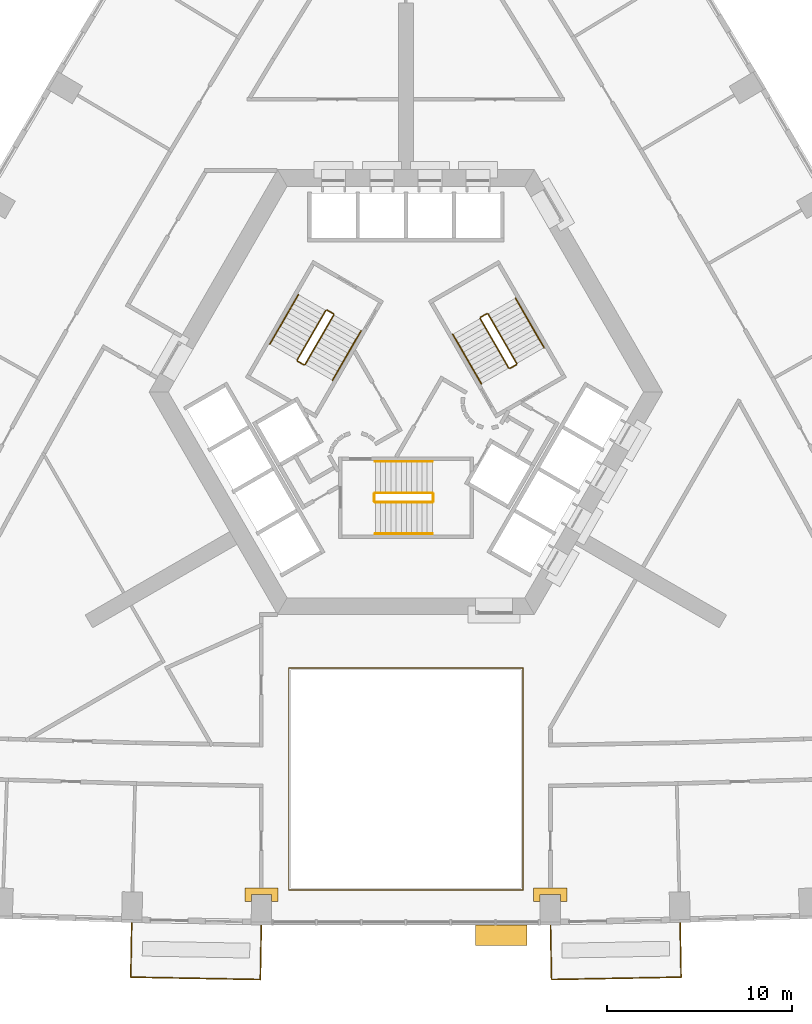
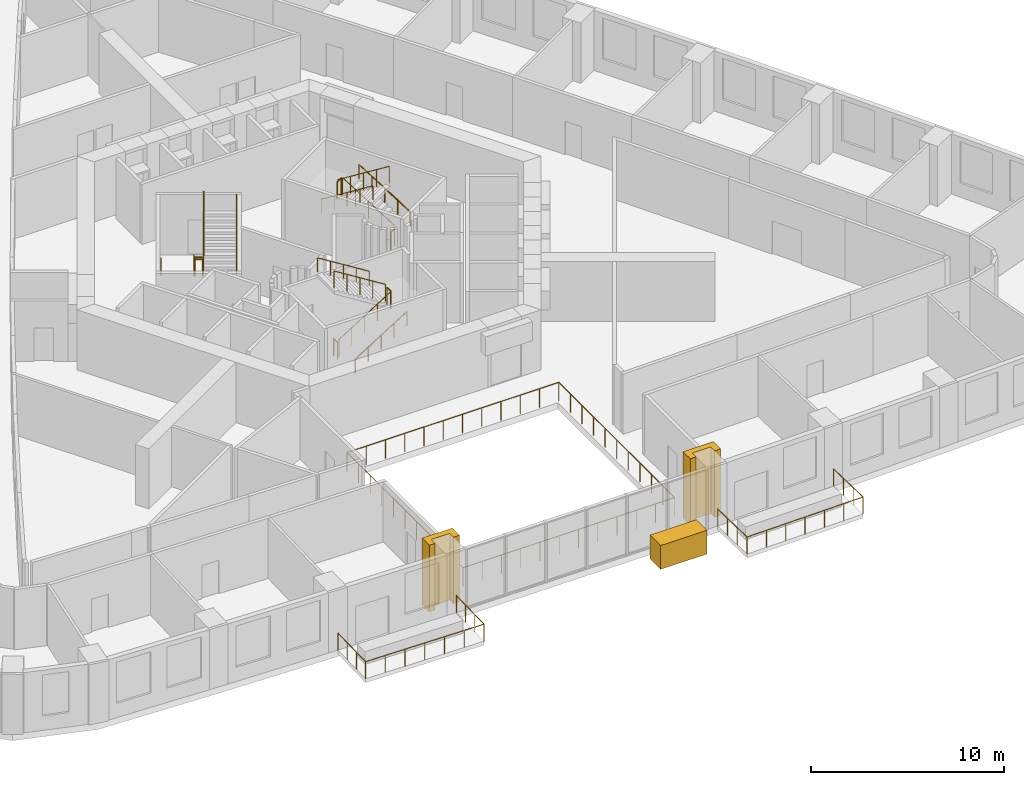
# One storey, part 13 of 13: 21 railings, 3 coverings.
"""IFC4 building model written with IfcOpenShell, lengths in metres."""

from ifc_helpers import new_model, si_unit, direction, frame, origin, origin_2d, place, context, subcontext, project, spatial, polyline, circle, outline, extrude, material, type_object, element, save


model = new_model("IFC4")

# Units and contexts
model_context = context("Model", 3, precision=1e-05, world=origin(), true_north=direction((0.0, 1.0)))
body_context = subcontext(model_context, "Body", "Model", "MODEL_VIEW")
ifc_project = project(units=[si_unit("LENGTHUNIT", "METRE"), si_unit("AREAUNIT", "SQUARE_METRE"), si_unit("VOLUMEUNIT", "CUBIC_METRE"), si_unit("PLANEANGLEUNIT", "RADIAN"), si_unit("MASSUNIT", "GRAM", prefix="KILO")], contexts=[model_context])

# Site, building, storey
site_placement = place(None, origin())
site = spatial("IfcSite", under=ifc_project, at=site_placement, CompositionType="ELEMENT")
building_placement = place(site_placement, origin())
building = spatial("IfcBuilding", under=site, at=building_placement, Name="Entoto Arch Interchange Tower", CompositionType="ELEMENT")
storey_placement = place(building_placement, frame((0.0, 0.0, 90.800048828125)))
storey = spatial("IfcBuildingStorey", under=building, at=storey_placement, Name="L19", CompositionType="ELEMENT", Elevation=90.800048828125)

# Railings
ifc_material_1 = material(Name="Stainless steel 1.4301", Category="steel")
railing_type_1 = type_object("IfcRailingType", Name="ATRIUM GUARD 1200 STEEL AND GLASS", PredefinedType="GUARDRAIL", material=ifc_material_1)
railing_1_placement = place(storey_placement, frame((6.320068359375, -24.37109375, 0.0)))
element("IfcRailing", 1, at=railing_1_placement, inside=storey, type_object=railing_type_1, Name="Atrium guard L19", PredefinedType="GUARDRAIL", context=body_context, shape_type="SweptSolid", body=[
    extrude(circle(Radius=0.02392578125, at=origin_2d()), frame((0.0, 0.0, 1.17578125), z_axis=(-1.0, 0.0, 0.0), x_axis=(0.0, -1.0, 0.0)), (0.0, 0.0, 1.0), 12.64013671875),
    extrude(circle(Radius=0.02392578125, at=origin_2d()), frame((-12.64013671875, 0.0, 1.17578125), z_axis=(0.0, 1.0, 0.0), x_axis=(-1.0, 0.0, 0.0)), (0.0, 0.0, 1.0), 11.9912109375),
    extrude(circle(Radius=0.02392578125, at=origin_2d()), frame((-12.64013671875, 11.9912109375, 1.17578125), z_axis=(1.0, 0.0, 0.0), x_axis=(0.0, 1.0, 0.0)), (0.0, 0.0, 1.0), 12.64013671875),
    extrude(circle(Radius=0.02392578125, at=origin_2d()), frame((0.0, 11.9912109375, 1.17578125), z_axis=(0.0, -1.0, 0.0), x_axis=(1.0, 0.0, 0.0)), (0.0, 0.0, 1.0), 11.9912109375),
    extrude(circle(Radius=0.02099609375, at=origin_2d()), origin(), (0.0, 0.0, 1.0), 1.15185546875),
    extrude(circle(Radius=0.02099609375, at=origin_2d()), frame((-1.149169921875, 0.0, 0.0)), (0.0, 0.0, 1.0), 1.15185546875),
    extrude(circle(Radius=0.02099609375, at=origin_2d()), frame((-2.298095703125, 0.0, 0.0)), (0.0, 0.0, 1.0), 1.15185546875),
    extrude(circle(Radius=0.02099609375, at=origin_2d()), frame((-3.447265625, 0.0, 0.0)), (0.0, 0.0, 1.0), 1.15185546875),
    extrude(circle(Radius=0.02099609375, at=origin_2d()), frame((-4.596435546875, 0.0, 0.0)), (0.0, 0.0, 1.0), 1.15185546875),
    extrude(circle(Radius=0.02099609375, at=origin_2d()), frame((-5.74560546875, 0.0, 0.0)), (0.0, 0.0, 1.0), 1.15185546875),
    extrude(circle(Radius=0.02099609375, at=origin_2d()), frame((-6.89453125, 0.0, 0.0)), (0.0, 0.0, 1.0), 1.15185546875),
    extrude(circle(Radius=0.02099609375, at=origin_2d()), frame((-8.043701171875, 0.0, 0.0)), (0.0, 0.0, 1.0), 1.15185546875),
    extrude(circle(Radius=0.02099609375, at=origin_2d()), frame((-9.19287109375, 0.0, 0.0)), (0.0, 0.0, 1.0), 1.15185546875),
    extrude(circle(Radius=0.02099609375, at=origin_2d()), frame((-10.342041015625, 0.0, 0.0)), (0.0, 0.0, 1.0), 1.15185546875),
    extrude(circle(Radius=0.02099609375, at=origin_2d()), frame((-11.490966796875, 0.0, 0.0)), (0.0, 0.0, 1.0), 1.15185546875),
    extrude(circle(Radius=0.02099609375, at=origin_2d()), frame((-12.64013671875, 0.0, 0.0)), (0.0, 0.0, 1.0), 1.15185546875),
    extrude(circle(Radius=0.02099609375, at=origin_2d()), frame((-12.64013671875, 1.19921875, 0.0)), (0.0, 0.0, 1.0), 1.15185546875),
    extrude(circle(Radius=0.02099609375, at=origin_2d()), frame((-12.64013671875, 2.398193359375, 0.0)), (0.0, 0.0, 1.0), 1.15185546875),
    extrude(circle(Radius=0.02099609375, at=origin_2d()), frame((-12.64013671875, 3.597412109375, 0.0)), (0.0, 0.0, 1.0), 1.15185546875),
    extrude(circle(Radius=0.02099609375, at=origin_2d()), frame((-12.64013671875, 4.79638671875, 0.0)), (0.0, 0.0, 1.0), 1.15185546875),
    extrude(circle(Radius=0.02099609375, at=origin_2d()), frame((-12.64013671875, 5.99560546875, 0.0)), (0.0, 0.0, 1.0), 1.15185546875),
    extrude(circle(Radius=0.02099609375, at=origin_2d()), frame((-12.64013671875, 7.19482421875, 0.0)), (0.0, 0.0, 1.0), 1.15185546875),
    extrude(circle(Radius=0.02099609375, at=origin_2d()), frame((-12.64013671875, 8.393798828125, 0.0)), (0.0, 0.0, 1.0), 1.15185546875),
    extrude(circle(Radius=0.02099609375, at=origin_2d()), frame((-12.64013671875, 9.593017578125, 0.0)), (0.0, 0.0, 1.0), 1.15185546875),
    extrude(circle(Radius=0.02099609375, at=origin_2d()), frame((-12.64013671875, 10.7919921875, 0.0)), (0.0, 0.0, 1.0), 1.15185546875),
    extrude(circle(Radius=0.02099609375, at=origin_2d()), frame((-12.64013671875, 11.9912109375, 0.0)), (0.0, 0.0, 1.0), 1.15185546875),
    extrude(circle(Radius=0.02099609375, at=origin_2d()), frame((-11.490966796875, 11.9912109375, 0.0)), (0.0, 0.0, 1.0), 1.15185546875),
    extrude(circle(Radius=0.02099609375, at=origin_2d()), frame((-10.342041015625, 11.9912109375, 0.0)), (0.0, 0.0, 1.0), 1.15185546875),
    extrude(circle(Radius=0.02099609375, at=origin_2d()), frame((-9.19287109375, 11.9912109375, 0.0)), (0.0, 0.0, 1.0), 1.15185546875),
    extrude(circle(Radius=0.02099609375, at=origin_2d()), frame((-8.043701171875, 11.9912109375, 0.0)), (0.0, 0.0, 1.0), 1.15185546875),
    extrude(circle(Radius=0.02099609375, at=origin_2d()), frame((-6.89453125, 11.9912109375, 0.0)), (0.0, 0.0, 1.0), 1.15185546875),
    extrude(circle(Radius=0.02099609375, at=origin_2d()), frame((-5.74560546875, 11.9912109375, 0.0)), (0.0, 0.0, 1.0), 1.15185546875),
    extrude(circle(Radius=0.02099609375, at=origin_2d()), frame((-4.596435546875, 11.9912109375, 0.0)), (0.0, 0.0, 1.0), 1.15185546875),
    extrude(circle(Radius=0.02099609375, at=origin_2d()), frame((-3.447265625, 11.9912109375, 0.0)), (0.0, 0.0, 1.0), 1.15185546875),
    extrude(circle(Radius=0.02099609375, at=origin_2d()), frame((-2.298095703125, 11.9912109375, 0.0)), (0.0, 0.0, 1.0), 1.15185546875),
    extrude(circle(Radius=0.02099609375, at=origin_2d()), frame((-1.149169921875, 11.9912109375, 0.0)), (0.0, 0.0, 1.0), 1.15185546875),
    extrude(circle(Radius=0.02099609375, at=origin_2d()), frame((0.0, 11.9912109375, 0.0)), (0.0, 0.0, 1.0), 1.15185546875),
    extrude(circle(Radius=0.02099609375, at=origin_2d()), frame((0.0, 10.7919921875, 0.0)), (0.0, 0.0, 1.0), 1.15185546875),
    extrude(circle(Radius=0.02099609375, at=origin_2d()), frame((0.0, 9.593017578125, 0.0)), (0.0, 0.0, 1.0), 1.15185546875),
    extrude(circle(Radius=0.02099609375, at=origin_2d()), frame((0.0, 8.393798828125, 0.0)), (0.0, 0.0, 1.0), 1.15185546875),
    extrude(circle(Radius=0.02099609375, at=origin_2d()), frame((0.0, 7.19482421875, 0.0)), (0.0, 0.0, 1.0), 1.15185546875),
    extrude(circle(Radius=0.02099609375, at=origin_2d()), frame((0.0, 5.99560546875, 0.0)), (0.0, 0.0, 1.0), 1.15185546875),
    extrude(circle(Radius=0.02099609375, at=origin_2d()), frame((0.0, 4.79638671875, 0.0)), (0.0, 0.0, 1.0), 1.15185546875),
    extrude(circle(Radius=0.02099609375, at=origin_2d()), frame((0.0, 3.597412109375, 0.0)), (0.0, 0.0, 1.0), 1.15185546875),
    extrude(circle(Radius=0.02099609375, at=origin_2d()), frame((0.0, 2.398193359375, 0.0)), (0.0, 0.0, 1.0), 1.15185546875),
    extrude(circle(Radius=0.02099609375, at=origin_2d()), frame((0.0, 1.19921875, 0.0)), (0.0, 0.0, 1.0), 1.15185546875),
])
railing_type_2 = type_object("IfcRailingType", Name="GUARD 1100 STEEL AND GLASS", PredefinedType="GUARDRAIL", material=ifc_material_1)
railing_2_placement = place(storey_placement, frame((-14.794921875, -26.1220703125, 0.0)))
element("IfcRailing", 2, at=railing_2_placement, inside=storey, type_object=railing_type_2, Name="Balcony guard S-03 L19", PredefinedType="GUARDRAIL", context=body_context, shape_type="SweptSolid", body=[
    extrude(circle(Radius=0.02392578125, at=origin_2d()), frame((0.0, 0.0, 1.076171875), z_axis=(-0.018375901569, -0.999831148865, 0.0), x_axis=(0.999831148865, -0.018375901569, 0.0)), (0.0, 0.0, 1.0), 2.949462890625),
    extrude(circle(Radius=0.02392578125, at=origin_2d()), frame((-0.05419921875, -2.948974609375, 1.076171875), z_axis=(0.999830247035, -0.018424904734, 0.0), x_axis=(0.018424904734, 0.999830247035, 0.0)), (0.0, 0.0, 1.0), 6.996337890625),
    extrude(circle(Radius=0.02392578125, at=origin_2d()), frame((6.94091796875, -3.077880859375, 1.076171875), z_axis=(0.018293155, 0.99983266624, 0.0), x_axis=(-0.99983266624, 0.018293155, 0.0)), (0.0, 0.0, 1.0), 2.949462890625),
    extrude(circle(Radius=0.02099609375, at=origin_2d()), origin(), (0.0, 0.0, 1.0), 1.052001953125),
    extrude(circle(Radius=0.02099609375, at=origin_2d()), frame((-0.01806640625, -0.98291015625, 0.0)), (0.0, 0.0, 1.0), 1.052001953125),
    extrude(circle(Radius=0.02099609375, at=origin_2d()), frame((-0.0361328125, -1.966064453125, 0.0)), (0.0, 0.0, 1.0), 1.052001953125),
    extrude(circle(Radius=0.02099609375, at=origin_2d()), frame((-0.05419921875, -2.948974609375, 0.0)), (0.0, 0.0, 1.0), 1.052001953125),
    extrude(circle(Radius=0.02099609375, at=origin_2d()), frame((1.111572265625, -2.970458984375, 0.0)), (0.0, 0.0, 1.0), 1.052001953125),
    extrude(circle(Radius=0.02099609375, at=origin_2d()), frame((2.277587890625, -2.991943359375, 0.0)), (0.0, 0.0, 1.0), 1.052001953125),
    extrude(circle(Radius=0.02099609375, at=origin_2d()), frame((3.443359375, -3.013427734375, 0.0)), (0.0, 0.0, 1.0), 1.052001953125),
    extrude(circle(Radius=0.02099609375, at=origin_2d()), frame((4.609130859375, -3.034912109375, 0.0)), (0.0, 0.0, 1.0), 1.052001953125),
    extrude(circle(Radius=0.02099609375, at=origin_2d()), frame((5.775146484375, -3.056396484375, 0.0)), (0.0, 0.0, 1.0), 1.052001953125),
    extrude(circle(Radius=0.02099609375, at=origin_2d()), frame((6.94091796875, -3.077880859375, 0.0)), (0.0, 0.0, 1.0), 1.052001953125),
    extrude(circle(Radius=0.02099609375, at=origin_2d()), frame((6.958984375, -2.094970703125, 0.0)), (0.0, 0.0, 1.0), 1.052001953125),
    extrude(circle(Radius=0.02099609375, at=origin_2d()), frame((6.976806640625, -1.11181640625, 0.0)), (0.0, 0.0, 1.0), 1.052001953125),
    extrude(circle(Radius=0.02099609375, at=origin_2d()), frame((6.994873046875, -0.12890625, 0.0)), (0.0, 0.0, 1.0), 1.052001953125),
])
railing_3_placement = place(storey_placement, frame((7.800048828125, -26.2509765625, 0.0)))
element("IfcRailing", 3, at=railing_3_placement, inside=storey, type_object=railing_type_2, Name="Balcony guard S-05 L19", PredefinedType="GUARDRAIL", context=body_context, shape_type="SweptSolid", body=[
    extrude(circle(Radius=0.02392578125, at=origin_2d()), frame((0.0, 0.0, 1.076171875), z_axis=(0.018293155, -0.99983266624, 0.0), x_axis=(0.99983266624, 0.018293155, 0.0)), (0.0, 0.0, 1.0), 2.949462890625),
    extrude(circle(Radius=0.02392578125, at=origin_2d()), frame((0.053955078125, -2.948974609375, 1.076171875), z_axis=(0.999830247035, 0.018424904734, 0.0), x_axis=(-0.018424904734, 0.999830247035, 0.0)), (0.0, 0.0, 1.0), 6.996337890625),
    extrude(circle(Radius=0.02392578125, at=origin_2d()), frame((7.049072265625, -2.820068359375, 1.076171875), z_axis=(-0.018375901569, 0.999831148865, 0.0), x_axis=(-0.999831148865, -0.018375901569, 0.0)), (0.0, 0.0, 1.0), 2.949462890625),
    extrude(circle(Radius=0.02099609375, at=origin_2d()), origin(), (0.0, 0.0, 1.0), 1.052001953125),
    extrude(circle(Radius=0.02099609375, at=origin_2d()), frame((0.01806640625, -0.98291015625, 0.0)), (0.0, 0.0, 1.0), 1.052001953125),
    extrude(circle(Radius=0.02099609375, at=origin_2d()), frame((0.035888671875, -1.966064453125, 0.0)), (0.0, 0.0, 1.0), 1.052001953125),
    extrude(circle(Radius=0.02099609375, at=origin_2d()), frame((0.053955078125, -2.948974609375, 0.0)), (0.0, 0.0, 1.0), 1.052001953125),
    extrude(circle(Radius=0.02099609375, at=origin_2d()), frame((1.2197265625, -2.927490234375, 0.0)), (0.0, 0.0, 1.0), 1.052001953125),
    extrude(circle(Radius=0.02099609375, at=origin_2d()), frame((2.3857421875, -2.906005859375, 0.0)), (0.0, 0.0, 1.0), 1.052001953125),
    extrude(circle(Radius=0.02099609375, at=origin_2d()), frame((3.551513671875, -2.884521484375, 0.0)), (0.0, 0.0, 1.0), 1.052001953125),
    extrude(circle(Radius=0.02099609375, at=origin_2d()), frame((4.71728515625, -2.863037109375, 0.0)), (0.0, 0.0, 1.0), 1.052001953125),
    extrude(circle(Radius=0.02099609375, at=origin_2d()), frame((5.88330078125, -2.841552734375, 0.0)), (0.0, 0.0, 1.0), 1.052001953125),
    extrude(circle(Radius=0.02099609375, at=origin_2d()), frame((7.049072265625, -2.820068359375, 0.0)), (0.0, 0.0, 1.0), 1.052001953125),
    extrude(circle(Radius=0.02099609375, at=origin_2d()), frame((7.031005859375, -1.837158203125, 0.0)), (0.0, 0.0, 1.0), 1.052001953125),
    extrude(circle(Radius=0.02099609375, at=origin_2d()), frame((7.012939453125, -0.85400390625, 0.0)), (0.0, 0.0, 1.0), 1.052001953125),
    extrude(circle(Radius=0.02099609375, at=origin_2d()), frame((6.994873046875, 0.12890625, 0.0)), (0.0, 0.0, 1.0), 1.052001953125),
])

# Coverings
ifc_material_2 = material(Name="Board-marked precast concrete C50/60", Category="concrete")
covering_type = type_object("IfcCoveringType", Name="PRECAST FRAME COURSE", PredefinedType="CLADDING", material=ifc_material_2)
covering_1_placement = place(storey_placement, frame((0.0, 0.0, -0.400146484375)))
element("IfcCovering", 4, at=covering_1_placement, inside=storey, type_object=covering_type, Name="Gate pier L19", PredefinedType="CLADDING", context=body_context, shape_type="SweptSolid", body=[
    extrude(outline(polyline([(-8.69189453125, -24.2509765625), (-6.89208984375, -24.2509765625), (-6.89208984375, -24.9990234375), (-7.241943359375, -24.9990234375), (-7.241943359375, -24.60107421875), (-8.342041015625, -24.60107421875), (-8.342041015625, -24.9990234375), (-8.69189453125, -24.9990234375), (-8.69189453125, -24.2509765625)])), origin(), (0.0, 0.0, 1.0), 4.2001953125),
])
covering_2_placement = place(storey_placement, frame((0.0, 0.0, -0.400146484375)))
element("IfcCovering", 5, at=covering_2_placement, inside=storey, type_object=covering_type, Name="Gate pier L19", PredefinedType="CLADDING", context=body_context, shape_type="SweptSolid", body=[
    extrude(outline(polyline([(6.89208984375, -24.2509765625), (8.69189453125, -24.2509765625), (8.69189453125, -24.9990234375), (8.342041015625, -24.9990234375), (8.342041015625, -24.60107421875), (7.241943359375, -24.60107421875), (7.241943359375, -24.9990234375), (6.89208984375, -24.9990234375), (6.89208984375, -24.2509765625)])), origin(), (0.0, 0.0, 1.0), 4.2001953125),
])
covering_3_placement = place(storey_placement, frame((0.0, 0.0, -0.650146484375)))
element("IfcCovering", 6, at=covering_3_placement, inside=storey, type_object=covering_type, Name="Fold crease ribbon L19", PredefinedType="CLADDING", context=body_context, shape_type="SweptSolid", body=[
    extrude(outline(polyline([(3.760009765625, -27.35498046875), (3.760009765625, -26.2509765625), (6.530029296875, -26.2509765625), (6.530029296875, -27.35595703125), (3.760009765625, -27.35498046875)])), origin(), (0.0, 0.0, 1.0), 1.5),
])

# Railings
railing_type_3 = type_object("IfcRailingType", Name="STAIR GUARD 1100 STEEL", PredefinedType="GUARDRAIL", material=ifc_material_1)
railing_4_placement = place(storey_placement, frame((-1.64990234375, -3.449951171875, 0.175048828125)))
element("IfcRailing", 7, at=railing_4_placement, inside=storey, type_object=railing_type_3, Name="L19 ST-S stair guard 1", PredefinedType="GUARDRAIL", context=body_context, shape_type="SweptSolid", body=[
    extrude(circle(Radius=0.02392578125, at=origin_2d()), frame((0.0, 0.0, 1.076171875), z_axis=(0.848009633417, 0.0, 0.529980812513), x_axis=(0.0, 1.0, 0.0)), (0.0, 0.0, 1.0), 3.6318359375),
    extrude(circle(Radius=0.02099609375, at=origin_2d()), origin(), (0.0, 0.0, 1.0), 1.052001953125),
    extrude(circle(Radius=0.02099609375, at=origin_2d()), frame((0.77001953125, 0.0, 0.481201171875)), (0.0, 0.0, 1.0), 1.052001953125),
    extrude(circle(Radius=0.02099609375, at=origin_2d()), frame((1.5400390625, 0.0, 0.96240234375)), (0.0, 0.0, 1.0), 1.052001953125),
    extrude(circle(Radius=0.02099609375, at=origin_2d()), frame((2.309814453125, 0.0, 1.443603515625)), (0.0, 0.0, 1.0), 1.052001953125),
    extrude(circle(Radius=0.02099609375, at=origin_2d()), frame((3.079833984375, 0.0, 1.9248046875)), (0.0, 0.0, 1.0), 1.052001953125),
])
railing_5_placement = place(storey_placement, frame((1.47998046875, -3.39990234375, 2.099853515625)))
element("IfcRailing", 8, at=railing_5_placement, inside=storey, type_object=railing_type_3, Name="L19 ST-S stair guard 2", PredefinedType="GUARDRAIL", context=body_context, shape_type="SweptSolid", body=[
    extrude(circle(Radius=0.02392578125, at=origin_2d()), frame((0.0, 0.0, 1.076171875), z_axis=(0.0, 1.0, 0.0), x_axis=(-1.0, 0.0, 0.0)), (0.0, 0.0, 1.0), 0.39990234375),
    extrude(circle(Radius=0.02099609375, at=origin_2d()), origin(), (0.0, 0.0, 1.0), 1.052001953125),
    extrude(circle(Radius=0.02099609375, at=origin_2d()), frame((0.0, 0.39990234375, 0.0)), (0.0, 0.0, 1.0), 1.052001953125),
])
railing_6_placement = place(storey_placement, frame((1.429931640625, -2.949951171875, 2.27490234375)))
element("IfcRailing", 9, at=railing_6_placement, inside=storey, type_object=railing_type_3, Name="L19 ST-S stair guard 3", PredefinedType="GUARDRAIL", context=body_context, shape_type="SweptSolid", body=[
    extrude(circle(Radius=0.02392578125, at=origin_2d()), frame((0.0, 0.0, 1.076171875), z_axis=(-0.847979421464, 0.0, 0.530029150871), x_axis=(0.0, -1.0, 0.0)), (0.0, 0.0, 1.0), 3.632080078125),
    extrude(circle(Radius=0.02099609375, at=origin_2d()), origin(), (0.0, 0.0, 1.0), 1.052001953125),
    extrude(circle(Radius=0.02099609375, at=origin_2d()), frame((-0.77001953125, 0.0, 0.481201171875)), (0.0, 0.0, 1.0), 1.052001953125),
    extrude(circle(Radius=0.02099609375, at=origin_2d()), frame((-1.5400390625, 0.0, 0.96240234375)), (0.0, 0.0, 1.0), 1.052001953125),
    extrude(circle(Radius=0.02099609375, at=origin_2d()), frame((-2.309814453125, 0.0, 1.44384765625)), (0.0, 0.0, 1.0), 1.052001953125),
    extrude(circle(Radius=0.02099609375, at=origin_2d()), frame((-3.079833984375, 0.0, 1.925048828125)), (0.0, 0.0, 1.0), 1.052001953125),
])
railing_7_placement = place(storey_placement, frame((-1.699951171875, -3.39990234375, 0.0)))
element("IfcRailing", 10, at=railing_7_placement, inside=storey, type_object=railing_type_3, Name="L19 ST-S stair guard 4", PredefinedType="GUARDRAIL", context=body_context, shape_type="SweptSolid", body=[
    extrude(circle(Radius=0.02392578125, at=origin_2d()), frame((0.0, 0.0, 1.076171875), z_axis=(0.0, 1.0, 0.0), x_axis=(-1.0, 0.0, 0.0)), (0.0, 0.0, 1.0), 0.39990234375),
    extrude(circle(Radius=0.02099609375, at=origin_2d()), origin(), (0.0, 0.0, 1.0), 1.052001953125),
    extrude(circle(Radius=0.02099609375, at=origin_2d()), frame((0.0, 0.39990234375, 0.0)), (0.0, 0.0, 1.0), 1.052001953125),
])
railing_8_placement = place(storey_placement, frame((5.977783203125, 4.046142578125, 0.175048828125)))
element("IfcRailing", 11, at=railing_8_placement, inside=storey, type_object=railing_type_3, Name="L19 ST-NE stair guard 1", PredefinedType="GUARDRAIL", context=body_context, shape_type="SweptSolid", body=[
    extrude(circle(Radius=0.02392578125, at=origin_2d()), frame((0.0, 0.0, 1.076171875), z_axis=(-0.42403051051, 0.734390191396, 0.529970917068), x_axis=(-0.866010015463, -0.500026652407, 0.0)), (0.0, 0.0, 1.0), 3.6318359375),
    extrude(circle(Radius=0.02099609375, at=origin_2d()), origin(), (0.0, 0.0, 1.0), 1.052001953125),
    extrude(circle(Radius=0.02099609375, at=origin_2d()), frame((-0.385009765625, 0.666748046875, 0.481201171875)), (0.0, 0.0, 1.0), 1.052001953125),
    extrude(circle(Radius=0.02099609375, at=origin_2d()), frame((-0.77001953125, 1.33349609375, 0.96240234375)), (0.0, 0.0, 1.0), 1.052001953125),
    extrude(circle(Radius=0.02099609375, at=origin_2d()), frame((-1.155029296875, 2.00048828125, 1.443603515625)), (0.0, 0.0, 1.0), 1.052001953125),
    extrude(circle(Radius=0.02099609375, at=origin_2d()), frame((-1.5400390625, 2.667236328125, 1.9248046875)), (0.0, 0.0, 1.0), 1.052001953125),
])
railing_9_placement = place(storey_placement, frame((4.36962890625, 6.731689453125, 2.099853515625)))
element("IfcRailing", 12, at=railing_9_placement, inside=storey, type_object=railing_type_3, Name="L19 ST-NE stair guard 2", PredefinedType="GUARDRAIL", context=body_context, shape_type="SweptSolid", body=[
    extrude(circle(Radius=0.02392578125, at=origin_2d()), frame((0.0, 0.0, 1.076171875), z_axis=(-0.866094119867, -0.499880961361, 0.0), x_axis=(0.499880961361, -0.866094119867, 0.0)), (0.0, 0.0, 1.0), 0.39990234375),
    extrude(circle(Radius=0.02099609375, at=origin_2d()), origin(), (0.0, 0.0, 1.0), 1.052001953125),
    extrude(circle(Radius=0.02099609375, at=origin_2d()), frame((-0.346435546875, -0.199951171875, 0.0)), (0.0, 0.0, 1.0), 1.052001953125),
])
railing_10_placement = place(storey_placement, frame((4.0048828125, 6.46337890625, 2.27490234375)))
element("IfcRailing", 13, at=railing_10_placement, inside=storey, type_object=railing_type_3, Name="L19 ST-NE stair guard 3", PredefinedType="GUARDRAIL", context=body_context, shape_type="SweptSolid", body=[
    extrude(circle(Radius=0.02392578125, at=origin_2d()), frame((0.0, 0.0, 1.076171875), z_axis=(0.424015404183, -0.734364028329, 0.530019255228), x_axis=(0.866010015463, 0.500026652407, 0.0)), (0.0, 0.0, 1.0), 3.632080078125),
    extrude(circle(Radius=0.02099609375, at=origin_2d()), origin(), (0.0, 0.0, 1.0), 1.052001953125),
    extrude(circle(Radius=0.02099609375, at=origin_2d()), frame((0.385009765625, -0.666748046875, 0.481201171875)), (0.0, 0.0, 1.0), 1.052001953125),
    extrude(circle(Radius=0.02099609375, at=origin_2d()), frame((0.77001953125, -1.33349609375, 0.96240234375)), (0.0, 0.0, 1.0), 1.052001953125),
    extrude(circle(Radius=0.02099609375, at=origin_2d()), frame((1.155029296875, -2.00048828125, 1.44384765625)), (0.0, 0.0, 1.0), 1.052001953125),
    extrude(circle(Radius=0.02099609375, at=origin_2d()), frame((1.5400390625, -2.667236328125, 1.925048828125)), (0.0, 0.0, 1.0), 1.052001953125),
])
railing_11_placement = place(storey_placement, frame((5.95947265625, 3.977783203125, 0.0)))
element("IfcRailing", 14, at=railing_11_placement, inside=storey, type_object=railing_type_3, Name="L19 ST-NE stair guard 4", PredefinedType="GUARDRAIL", context=body_context, shape_type="SweptSolid", body=[
    extrude(circle(Radius=0.02392578125, at=origin_2d()), frame((0.0, 0.0, 1.076171875), z_axis=(-0.866094119867, -0.499880961361, 0.0), x_axis=(0.499880961361, -0.866094119867, 0.0)), (0.0, 0.0, 1.0), 0.39990234375),
    extrude(circle(Radius=0.02099609375, at=origin_2d()), origin(), (0.0, 0.0, 1.0), 1.052001953125),
    extrude(circle(Radius=0.02099609375, at=origin_2d()), frame((-0.346435546875, -0.199951171875, 0.0)), (0.0, 0.0, 1.0), 1.052001953125),
])
railing_12_placement = place(storey_placement, frame((-4.327880859375, 6.904052734375, 0.175048828125)))
element("IfcRailing", 15, at=railing_12_placement, inside=storey, type_object=railing_type_3, Name="L19 ST-NW stair guard 1", PredefinedType="GUARDRAIL", context=body_context, shape_type="SweptSolid", body=[
    extrude(circle(Radius=0.02392578125, at=origin_2d()), frame((0.0, 0.0, 1.076171875), z_axis=(-0.424009578203, -0.734421155904, 0.529944755001), x_axis=(0.866029832698, -0.499992328818, 0.0)), (0.0, 0.0, 1.0), 3.632080078125),
    extrude(circle(Radius=0.02099609375, at=origin_2d()), origin(), (0.0, 0.0, 1.0), 1.052001953125),
    extrude(circle(Radius=0.02099609375, at=origin_2d()), frame((-0.385009765625, -0.6669921875, 0.481201171875)), (0.0, 0.0, 1.0), 1.052001953125),
    extrude(circle(Radius=0.02099609375, at=origin_2d()), frame((-0.77001953125, -1.333740234375, 0.96240234375)), (0.0, 0.0, 1.0), 1.052001953125),
    extrude(circle(Radius=0.02099609375, at=origin_2d()), frame((-1.155029296875, -2.00048828125, 1.443603515625)), (0.0, 0.0, 1.0), 1.052001953125),
    extrude(circle(Radius=0.02099609375, at=origin_2d()), frame((-1.5400390625, -2.66748046875, 1.9248046875)), (0.0, 0.0, 1.0), 1.052001953125),
])
railing_13_placement = place(storey_placement, frame((-5.849609375, 4.168212890625, 2.099853515625)))
element("IfcRailing", 16, at=railing_13_placement, inside=storey, type_object=railing_type_3, Name="L19 ST-NW stair guard 2", PredefinedType="GUARDRAIL", context=body_context, shape_type="SweptSolid", body=[
    extrude(circle(Radius=0.02392578125, at=origin_2d()), frame((0.0, 0.0, 1.076171875), z_axis=(0.866094119867, -0.499880961361, 0.0), x_axis=(0.499880961361, 0.866094119867, 0.0)), (0.0, 0.0, 1.0), 0.39990234375),
    extrude(circle(Radius=0.02099609375, at=origin_2d()), origin(), (0.0, 0.0, 1.0), 1.052001953125),
    extrude(circle(Radius=0.02099609375, at=origin_2d()), frame((0.346435546875, -0.199951171875, 0.0)), (0.0, 0.0, 1.0), 1.052001953125),
])
railing_14_placement = place(storey_placement, frame((-5.434814453125, 3.986572265625, 2.27490234375)))
element("IfcRailing", 17, at=railing_14_placement, inside=storey, type_object=railing_type_3, Name="L19 ST-NW stair guard 3", PredefinedType="GUARDRAIL", context=body_context, shape_type="SweptSolid", body=[
    extrude(circle(Radius=0.02392578125, at=origin_2d()), frame((0.0, 0.0, 1.076171875), z_axis=(0.423994474112, 0.734394994316, 0.52999309264), x_axis=(-0.866029832698, 0.499992328818, 0.0)), (0.0, 0.0, 1.0), 3.63232421875),
    extrude(circle(Radius=0.02099609375, at=origin_2d()), origin(), (0.0, 0.0, 1.0), 1.052001953125),
    extrude(circle(Radius=0.02099609375, at=origin_2d()), frame((0.385009765625, 0.6669921875, 0.481201171875)), (0.0, 0.0, 1.0), 1.052001953125),
    extrude(circle(Radius=0.02099609375, at=origin_2d()), frame((0.77001953125, 1.333740234375, 0.96240234375)), (0.0, 0.0, 1.0), 1.052001953125),
    extrude(circle(Radius=0.02099609375, at=origin_2d()), frame((1.155029296875, 2.00048828125, 1.44384765625)), (0.0, 0.0, 1.0), 1.052001953125),
    extrude(circle(Radius=0.02099609375, at=origin_2d()), frame((1.5400390625, 2.66748046875, 1.925048828125)), (0.0, 0.0, 1.0), 1.052001953125),
])
railing_15_placement = place(storey_placement, frame((-4.259521484375, 6.92236328125, 0.0)))
element("IfcRailing", 18, at=railing_15_placement, inside=storey, type_object=railing_type_3, Name="L19 ST-NW stair guard 4", PredefinedType="GUARDRAIL", context=body_context, shape_type="SweptSolid", body=[
    extrude(circle(Radius=0.02392578125, at=origin_2d()), frame((0.0, 0.0, 1.076171875), z_axis=(0.865829829939, -0.500338590944, 0.0), x_axis=(0.500338590944, 0.865829829939, 0.0)), (0.0, 0.0, 1.0), 0.400146484375),
    extrude(circle(Radius=0.02099609375, at=origin_2d()), origin(), (0.0, 0.0, 1.0), 1.052001953125),
    extrude(circle(Radius=0.02099609375, at=origin_2d()), frame((0.346435546875, -0.2001953125, 0.0)), (0.0, 0.0, 1.0), 1.052001953125),
])
railing_type_4 = type_object("IfcRailingType", Name="STAIR HANDRAIL 900 STEEL", PredefinedType="HANDRAIL", material=ifc_material_1)
railing_16_placement = place(storey_placement, frame((-1.64990234375, -5.14990234375, 0.175048828125)))
element("IfcRailing", 19, at=railing_16_placement, inside=storey, type_object=railing_type_4, Name="L19 ST-S stair handrail 1", PredefinedType="HANDRAIL", context=body_context, shape_type="SweptSolid", body=[
    extrude(circle(Radius=0.02392578125, at=origin_2d()), frame((0.0, 0.0, 0.8759765625), z_axis=(0.848009633417, 0.0, 0.529980812513), x_axis=(0.0, 1.0, 0.0)), (0.0, 0.0, 1.0), 3.6318359375),
    extrude(circle(Radius=0.02099609375, at=origin_2d()), origin(), (0.0, 0.0, 1.0), 0.851806640625),
    extrude(circle(Radius=0.02099609375, at=origin_2d()), frame((0.77001953125, 0.0, 0.481201171875)), (0.0, 0.0, 1.0), 0.851806640625),
    extrude(circle(Radius=0.02099609375, at=origin_2d()), frame((1.5400390625, 0.0, 0.96240234375)), (0.0, 0.0, 1.0), 0.851806640625),
    extrude(circle(Radius=0.02099609375, at=origin_2d()), frame((2.309814453125, 0.0, 1.443603515625)), (0.0, 0.0, 1.0), 0.851806640625),
    extrude(circle(Radius=0.02099609375, at=origin_2d()), frame((3.079833984375, 0.0, 1.9248046875)), (0.0, 0.0, 1.0), 0.851806640625),
])
railing_17_placement = place(storey_placement, frame((1.429931640625, -1.25, 2.27490234375)))
element("IfcRailing", 20, at=railing_17_placement, inside=storey, type_object=railing_type_4, Name="L19 ST-S stair handrail 2", PredefinedType="HANDRAIL", context=body_context, shape_type="SweptSolid", body=[
    extrude(circle(Radius=0.02392578125, at=origin_2d()), frame((0.0, 0.0, 0.8759765625), z_axis=(-0.847979421464, 0.0, 0.530029150871), x_axis=(0.0, -1.0, 0.0)), (0.0, 0.0, 1.0), 3.632080078125),
    extrude(circle(Radius=0.02099609375, at=origin_2d()), origin(), (0.0, 0.0, 1.0), 0.851806640625),
    extrude(circle(Radius=0.02099609375, at=origin_2d()), frame((-0.77001953125, 0.0, 0.481201171875)), (0.0, 0.0, 1.0), 0.851806640625),
    extrude(circle(Radius=0.02099609375, at=origin_2d()), frame((-1.5400390625, 0.0, 0.96240234375)), (0.0, 0.0, 1.0), 0.851806640625),
    extrude(circle(Radius=0.02099609375, at=origin_2d()), frame((-2.309814453125, 0.0, 1.44384765625)), (0.0, 0.0, 1.0), 0.851806640625),
    extrude(circle(Radius=0.02099609375, at=origin_2d()), frame((-3.079833984375, 0.0, 1.925048828125)), (0.0, 0.0, 1.0), 0.851806640625),
])
railing_18_placement = place(storey_placement, frame((7.4501953125, 4.89599609375, 0.175048828125)))
element("IfcRailing", 21, at=railing_18_placement, inside=storey, type_object=railing_type_4, Name="L19 ST-NE stair handrail 1", PredefinedType="HANDRAIL", context=body_context, shape_type="SweptSolid", body=[
    extrude(circle(Radius=0.02392578125, at=origin_2d()), frame((0.0, 0.0, 0.8759765625), z_axis=(-0.424009578203, 0.734421155904, 0.529944755001), x_axis=(-0.866029832698, -0.499992328818, 0.0)), (0.0, 0.0, 1.0), 3.632080078125),
    extrude(circle(Radius=0.02099609375, at=origin_2d()), origin(), (0.0, 0.0, 1.0), 0.851806640625),
    extrude(circle(Radius=0.02099609375, at=origin_2d()), frame((-0.385009765625, 0.6669921875, 0.481201171875)), (0.0, 0.0, 1.0), 0.851806640625),
    extrude(circle(Radius=0.02099609375, at=origin_2d()), frame((-0.77001953125, 1.333740234375, 0.96240234375)), (0.0, 0.0, 1.0), 0.851806640625),
    extrude(circle(Radius=0.02099609375, at=origin_2d()), frame((-1.155029296875, 2.00048828125, 1.443603515625)), (0.0, 0.0, 1.0), 0.851806640625),
    extrude(circle(Radius=0.02099609375, at=origin_2d()), frame((-1.5400390625, 2.66748046875, 1.9248046875)), (0.0, 0.0, 1.0), 0.851806640625),
])
railing_19_placement = place(storey_placement, frame((2.53271484375, 5.613525390625, 2.27490234375)))
element("IfcRailing", 22, at=railing_19_placement, inside=storey, type_object=railing_type_4, Name="L19 ST-NE stair handrail 2", PredefinedType="HANDRAIL", context=body_context, shape_type="SweptSolid", body=[
    extrude(circle(Radius=0.02392578125, at=origin_2d()), frame((0.0, 0.0, 0.8759765625), z_axis=(0.423939339791, -0.734415923031, 0.53000819633), x_axis=(0.866064153644, 0.499932877268, 0.0)), (0.0, 0.0, 1.0), 3.632080078125),
    extrude(circle(Radius=0.02099609375, at=origin_2d()), origin(), (0.0, 0.0, 1.0), 0.851806640625),
    extrude(circle(Radius=0.02099609375, at=origin_2d()), frame((0.385009765625, -0.6669921875, 0.481201171875)), (0.0, 0.0, 1.0), 0.851806640625),
    extrude(circle(Radius=0.02099609375, at=origin_2d()), frame((0.77001953125, -1.333740234375, 0.96240234375)), (0.0, 0.0, 1.0), 0.851806640625),
    extrude(circle(Radius=0.02099609375, at=origin_2d()), frame((1.15478515625, -2.00048828125, 1.44384765625)), (0.0, 0.0, 1.0), 0.851806640625),
    extrude(circle(Radius=0.02099609375, at=origin_2d()), frame((1.539794921875, -2.66748046875, 1.925048828125)), (0.0, 0.0, 1.0), 0.851806640625),
])
railing_20_placement = place(storey_placement, frame((-5.800048828125, 7.75390625, 0.175048828125)))
element("IfcRailing", 23, at=railing_20_placement, inside=storey, type_object=railing_type_4, Name="L19 ST-NW stair handrail 1", PredefinedType="HANDRAIL", context=body_context, shape_type="SweptSolid", body=[
    extrude(circle(Radius=0.02392578125, at=origin_2d()), frame((0.0, 0.0, 0.8759765625), z_axis=(-0.42403051051, -0.734390191396, 0.529970917068), x_axis=(0.866010015463, -0.500026652407, 0.0)), (0.0, 0.0, 1.0), 3.6318359375),
    extrude(circle(Radius=0.02099609375, at=origin_2d()), origin(), (0.0, 0.0, 1.0), 0.851806640625),
    extrude(circle(Radius=0.02099609375, at=origin_2d()), frame((-0.385009765625, -0.666748046875, 0.481201171875)), (0.0, 0.0, 1.0), 0.851806640625),
    extrude(circle(Radius=0.02099609375, at=origin_2d()), frame((-0.77001953125, -1.33349609375, 0.96240234375)), (0.0, 0.0, 1.0), 0.851806640625),
    extrude(circle(Radius=0.02099609375, at=origin_2d()), frame((-1.155029296875, -2.00048828125, 1.443603515625)), (0.0, 0.0, 1.0), 0.851806640625),
    extrude(circle(Radius=0.02099609375, at=origin_2d()), frame((-1.5400390625, -2.667236328125, 1.9248046875)), (0.0, 0.0, 1.0), 0.851806640625),
])
railing_21_placement = place(storey_placement, frame((-3.962646484375, 3.136474609375, 2.27490234375)))
element("IfcRailing", 24, at=railing_21_placement, inside=storey, type_object=railing_type_4, Name="L19 ST-NW stair handrail 2", PredefinedType="HANDRAIL", context=body_context, shape_type="SweptSolid", body=[
    extrude(circle(Radius=0.02392578125, at=origin_2d()), frame((0.0, 0.0, 0.8759765625), z_axis=(0.423994474112, 0.734394994316, 0.52999309264), x_axis=(-0.866029832698, 0.499992328818, 0.0)), (0.0, 0.0, 1.0), 3.63232421875),
    extrude(circle(Radius=0.02099609375, at=origin_2d()), origin(), (0.0, 0.0, 1.0), 0.851806640625),
    extrude(circle(Radius=0.02099609375, at=origin_2d()), frame((0.385009765625, 0.6669921875, 0.481201171875)), (0.0, 0.0, 1.0), 0.851806640625),
    extrude(circle(Radius=0.02099609375, at=origin_2d()), frame((0.77001953125, 1.333740234375, 0.96240234375)), (0.0, 0.0, 1.0), 0.851806640625),
    extrude(circle(Radius=0.02099609375, at=origin_2d()), frame((1.155029296875, 2.00048828125, 1.44384765625)), (0.0, 0.0, 1.0), 0.851806640625),
    extrude(circle(Radius=0.02099609375, at=origin_2d()), frame((1.5400390625, 2.66748046875, 1.925048828125)), (0.0, 0.0, 1.0), 0.851806640625),
])

save(model, "model.ifc")
